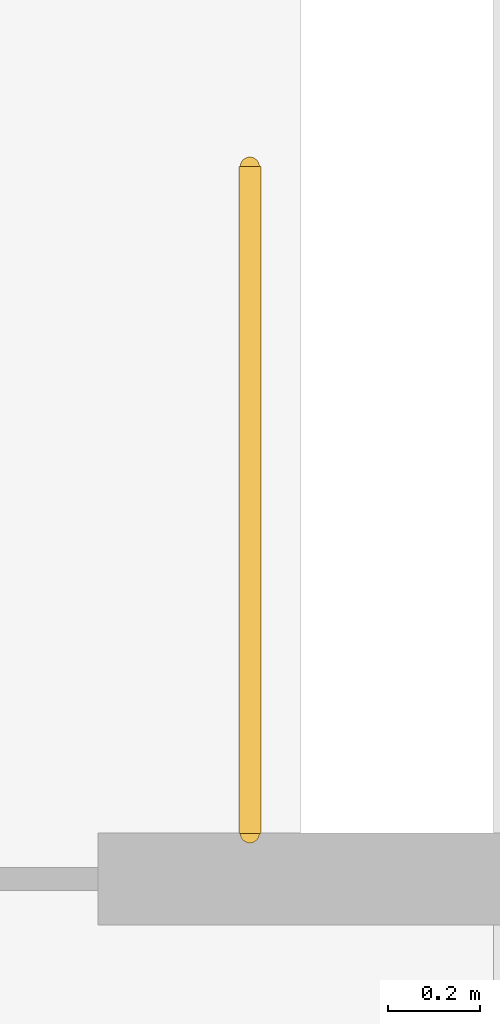
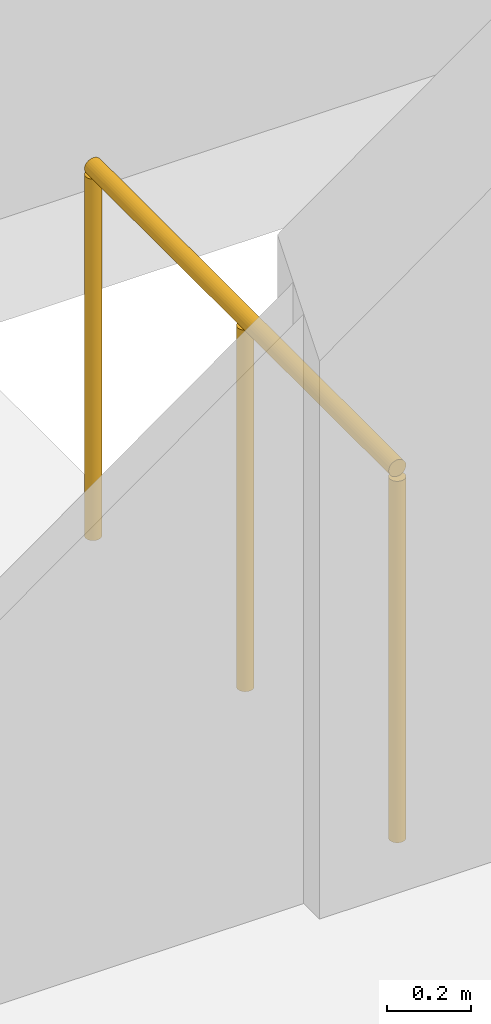
# One storey, part 68 of 68: 1 railing.
"""IFC4 building model written with IfcOpenShell, lengths in metres."""

import ifcopenshell
import ifcopenshell.guid

model = None  # the IFC model being written
_history = None  # IfcOwnerHistory: only IFC2X3 demands one
_inside = {}  # id of a spatial element -> (the spatial element, [elements in it])
_under = {}  # id of a project, library or spatial element -> (it, [spatial elements below it])
_declared = {}  # id of a project -> (the project, [libraries it declares])
_typed = {}  # id of a type object -> (the type object, [elements of that type])
_made_of = {}  # id of a material, layer set ... -> (it, [elements and type objects made of it])


def new_model(schema):
    """Start an empty IFC model of exactly this schema.

    Asked for "IFC4X3", IfcOpenShell would pick the latest addendum, in which some entities
    have other attributes; the version numbers below select the first issue.
    IFC2X3 requires an IfcOwnerHistory on every rooted entity: one is made here for all.
    """
    global model, _history
    if schema == "IFC4X3":
        model = ifcopenshell.file(schema_version=(4, 3, 0, 0))
    else:
        model = ifcopenshell.file(schema=schema)
    _inside.clear()
    _under.clear()
    _declared.clear()
    _typed.clear()
    _made_of.clear()
    _history = None
    if model.schema == "IFC2X3":
        org = make("IfcOrganization", Name="unknown")
        user = make(
            "IfcPersonAndOrganization",
            ThePerson=make("IfcPerson", FamilyName="unknown"),
            TheOrganization=org,
        )
        app = make(
            "IfcApplication",
            ApplicationDeveloper=org,
            Version="unknown",
            ApplicationFullName="unknown",
            ApplicationIdentifier="unknown",
        )
        _history = make(
            "IfcOwnerHistory",
            OwningUser=user,
            OwningApplication=app,
            ChangeAction="ADDED",
            CreationDate=0,
        )
    return model


def make(cls, **values):
    """One entity of the class cls with the attributes given. An attribute that is None is left unset."""
    return model.create_entity(
        cls, **{name: value for name, value in values.items() if value is not None}
    )


def rooted(cls, **values):
    """An entity with a GlobalId (a new one), such as an element, a storey or a relation."""
    return make(cls, GlobalId=ifcopenshell.guid.new(), OwnerHistory=_history, **values)


def si_unit(unit_type, name, prefix=None):
    """IfcSIUnit, for example si_unit("LENGTHUNIT", "METRE", prefix="MILLI")."""
    return make("IfcSIUnit", UnitType=unit_type, Prefix=prefix, Name=name)


def assignment(units):
    """IfcUnitAssignment: the units of a project."""
    return None if units is None else make("IfcUnitAssignment", Units=units)


def point(xyz):
    """IfcCartesianPoint."""
    return None if xyz is None else make("IfcCartesianPoint", Coordinates=xyz)


def direction(xyz):
    """IfcDirection."""
    return None if xyz is None else make("IfcDirection", DirectionRatios=xyz)


def frame(location, z_axis=None, x_axis=None):
    """IfcAxis2Placement3D, a coordinate frame: its origin and axes. An axis left out is left unset."""
    return make(
        "IfcAxis2Placement3D",
        Location=point(location),
        Axis=direction(z_axis),
        RefDirection=direction(x_axis),
    )


def frame_2d(location, x_axis=None):
    """IfcAxis2Placement2D, a coordinate frame in the plane: its origin and x axis."""
    return make(
        "IfcAxis2Placement2D", Location=point(location), RefDirection=direction(x_axis)
    )


def origin():
    """The frame at (0, 0, 0) with its axes left unset."""
    return frame((0.0, 0.0, 0.0))


def origin_2d():
    """The frame at (0, 0) in the plane with its x axis left unset."""
    return frame_2d((0.0, 0.0))


def place(relative_to, where):
    """IfcLocalPlacement: puts the frame where relative to a parent placement (None: the world)."""
    return make(
        "IfcLocalPlacement", PlacementRelTo=relative_to, RelativePlacement=where
    )


def context(
    kind, dimensions, precision=None, world=None, true_north=None, identifier=None
):
    """IfcGeometricRepresentationContext, for example the 3D "Model" context."""
    return make(
        "IfcGeometricRepresentationContext",
        ContextIdentifier=identifier,
        ContextType=kind,
        CoordinateSpaceDimension=dimensions,
        Precision=precision,
        WorldCoordinateSystem=world,
        TrueNorth=true_north,
    )


def subcontext(parent, identifier, kind, view, scale=None):
    """IfcGeometricRepresentationSubContext, for example "Body" below "Model"."""
    return make(
        "IfcGeometricRepresentationSubContext",
        ContextIdentifier=identifier,
        ContextType=kind,
        ParentContext=parent,
        TargetScale=scale,
        TargetView=view,
    )


def project(units=None, contexts=None):
    """IfcProject with its units and contexts."""
    return rooted(
        "IfcProject",
        Name="project",
        RepresentationContexts=contexts,
        UnitsInContext=assignment(units),
    )


def spatial(cls, under=None, at=None, **own):
    """A site, building, storey or space (cls), placed at a placement, below another one or the project."""
    s = rooted(cls, ObjectPlacement=at, **own)
    if under is not None:
        _under.setdefault(under.id(), (under, []))[1].append(s)
    return s


def profile(cls, at=None, kind="AREA", **sizes):
    """A parametric profile (cls). Its sizes go by their IFC names, for example OverallWidth=200.0."""
    return make(cls, ProfileType=kind, Position=at, **sizes)


def circle(**sizes):
    """IfcCircleProfileDef."""
    return profile("IfcCircleProfileDef", **sizes)


def extrude(swept, where, along, depth):
    """IfcExtrudedAreaSolid: the profile swept, set in the frame where, extruded along a direction by depth."""
    return make(
        "IfcExtrudedAreaSolid",
        SweptArea=swept,
        Position=where,
        ExtrudedDirection=direction(along),
        Depth=depth,
    )


def shape(context_of_items, identifier, shape_type, items):
    """IfcShapeRepresentation: the items that make up one representation, for example the "Body"."""
    return make(
        "IfcShapeRepresentation",
        ContextOfItems=context_of_items,
        RepresentationIdentifier=identifier,
        RepresentationType=shape_type,
        Items=items,
    )


def material(Name=None, Category=None):
    """IfcMaterial."""
    return make("IfcMaterial", Name=Name, Category=Category)


def made_of(thing, what):
    """Note that an element or type object is made of a material, layer set ...; save() writes the relation."""
    if what is not None:
        _made_of.setdefault(what.id(), (what, []))[1].append(thing)
    return thing


def type_object(cls, material=None, **own):
    """A type object (cls), such as IfcWallType, which elements share."""
    return made_of(rooted(cls, **own), material)


def element(
    cls,
    number,
    at=None,
    inside=None,
    cuts=None,
    type_object=None,
    material=None,
    context=None,
    identifier="Body",
    shape_type=None,
    held_by="IfcProductDefinitionShape",
    body=None,
    shapes=None,
    **own,
):
    """One element of the class cls, such as IfcWall. Its Tag is "e" and its number.

    at: its placement. inside: the storey or other place that contains it. cuts: it is an
    opening in that element (IfcRelVoidsElement). A single representation is given by context,
    identifier, shape_type and body (its items); several are given by shapes. held_by: the class
    of the entity that holds the representations. save() writes the other relations.
    """
    e = rooted(cls, Tag="e%d" % number, ObjectPlacement=at, **own)
    if body is not None:
        shapes = [shape(context, identifier, shape_type, body)]
    if shapes is not None:
        e.Representation = make(held_by, Representations=shapes)
    if inside is not None:
        _inside.setdefault(inside.id(), (inside, []))[1].append(e)
    if cuts is not None:
        rooted(
            "IfcRelVoidsElement", RelatingBuildingElement=cuts, RelatedOpeningElement=e
        )
    if type_object is not None:
        _typed.setdefault(type_object.id(), (type_object, []))[1].append(e)
    return made_of(e, material)


def aggregate(whole, parts):
    """IfcRelAggregates: a whole, such as a stair, and the parts it consists of."""
    return rooted("IfcRelAggregates", RelatingObject=whole, RelatedObjects=parts)


def save(model, path):
    """Write the relations noted so far, then the file.

    IfcRelAggregates (storeys below a building ...), IfcRelContainedInSpatialStructure (elements
    in a storey), IfcRelDefinesByType, IfcRelAssociatesMaterial and IfcRelDeclares: one each for
    every whole, place, type object, material and project.
    """
    for whole, parts in _under.values():
        aggregate(whole, parts)
    for where, things in _inside.values():
        rooted(
            "IfcRelContainedInSpatialStructure",
            RelatedElements=things,
            RelatingStructure=where,
        )
    for kind, things in _typed.values():
        rooted("IfcRelDefinesByType", RelatedObjects=things, RelatingType=kind)
    for what, things in _made_of.values():
        rooted("IfcRelAssociatesMaterial", RelatedObjects=things, RelatingMaterial=what)
    for by, libraries in _declared.values():
        rooted("IfcRelDeclares", RelatingContext=by, RelatedDefinitions=libraries)
    model.write(path)


model = new_model("IFC4")

# Units and contexts
model_context = context("Model", 3, precision=1e-05, world=origin(), true_north=direction((0.0, 1.0)))
body_context = subcontext(model_context, "Body", "Model", "MODEL_VIEW")
ifc_project = project(units=[si_unit("LENGTHUNIT", "METRE"), si_unit("AREAUNIT", "SQUARE_METRE"), si_unit("VOLUMEUNIT", "CUBIC_METRE"), si_unit("PLANEANGLEUNIT", "RADIAN"), si_unit("MASSUNIT", "GRAM", prefix="KILO")], contexts=[model_context])

# Site, building, storey
site_placement = place(None, origin())
site = spatial("IfcSite", under=ifc_project, at=site_placement, CompositionType="ELEMENT")
building_placement = place(site_placement, origin())
building = spatial("IfcBuilding", under=site, at=building_placement, Name="Bramvelor Terrace Health Centre", CompositionType="ELEMENT")
storey_placement = place(building_placement, frame((0.0, 0.0, 9.300048828125)))
storey = spatial("IfcBuildingStorey", under=building, at=storey_placement, Name="L03", CompositionType="ELEMENT", Elevation=9.300048828125)

# Railing
ifc_material = material(Name="Painted galvanized steel", Category="steel")
railing_type = type_object("IfcRailingType", Name="RLG-GD-1100", PredefinedType="GUARDRAIL", material=ifc_material)
railing_placement = place(storey_placement, frame((160.169921875, 58.39990234375, 0.0)))
element("IfcRailing", 1, at=railing_placement, inside=storey, type_object=railing_type, Name="L03 ST-7 top well guard 1", PredefinedType="GUARDRAIL", context=body_context, shape_type="SweptSolid", body=[
    extrude(circle(Radius=0.02392578125, at=origin_2d()), frame((0.0, 0.0, 1.076171875), z_axis=(0.0, 1.0, 0.0), x_axis=(-1.0, 0.0, 0.0)), (0.0, 0.0, 1.0), 1.4501953125),
    extrude(circle(Radius=0.02099609375, at=origin_2d()), origin(), (0.0, 0.0, 1.0), 1.052001953125),
    extrude(circle(Radius=0.02099609375, at=origin_2d()), frame((0.0, 0.72509765625, 0.0)), (0.0, 0.0, 1.0), 1.052001953125),
    extrude(circle(Radius=0.02099609375, at=origin_2d()), frame((0.0, 1.4501953125, 0.0)), (0.0, 0.0, 1.0), 1.052001953125),
])

save(model, "model.ifc")
